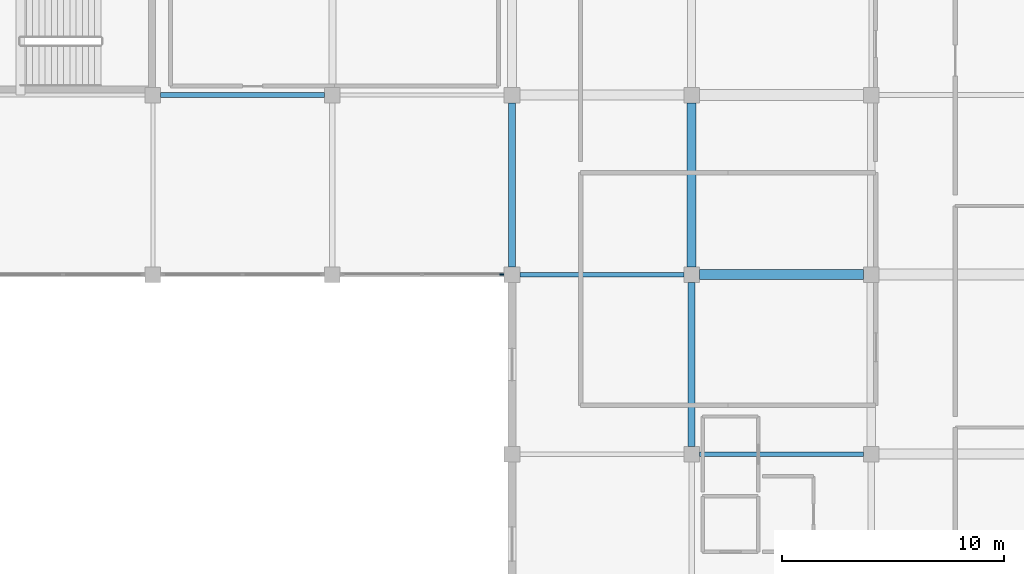
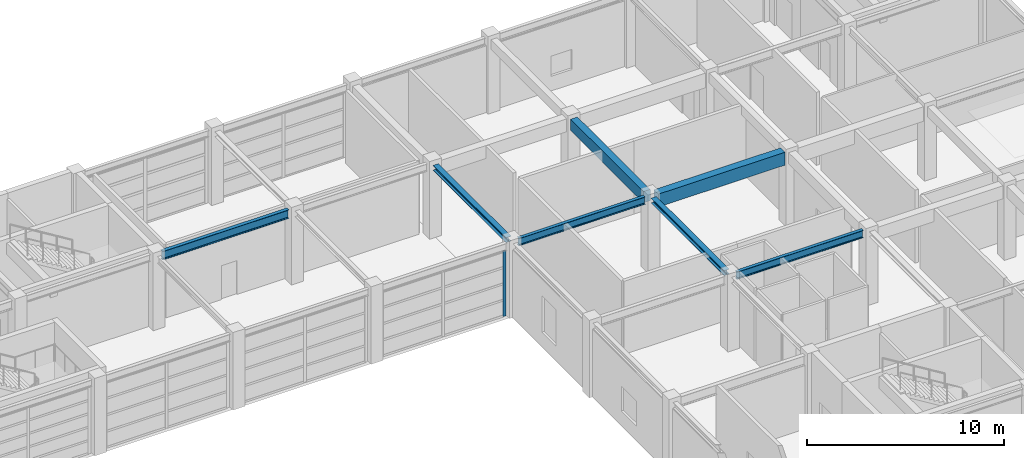
# One storey, part 33 of 58: 7 beams, 1 member, 1 element without a shape of its own.
"""IFC4 building model written with IfcOpenShell, lengths in metres."""

from ifc_helpers import new_model, si_unit, direction, frame, origin, origin_2d, place, context, subcontext, project, spatial, rectangle, i_section, extrude, material, material_profile, profile_set, type_object, element, aggregate, save


model = new_model("IFC4")

# Units and contexts
model_context = context("Model", 3, precision=1e-05, world=origin(), true_north=direction((0.0, 1.0)))
body_context = subcontext(model_context, "Body", "Model", "MODEL_VIEW")
ifc_project = project(units=[si_unit("LENGTHUNIT", "METRE"), si_unit("AREAUNIT", "SQUARE_METRE"), si_unit("VOLUMEUNIT", "CUBIC_METRE"), si_unit("PLANEANGLEUNIT", "RADIAN"), si_unit("MASSUNIT", "GRAM", prefix="KILO")], contexts=[model_context])

# Site, building, storey
site_placement = place(None, origin())
site = spatial("IfcSite", under=ifc_project, at=site_placement, CompositionType="ELEMENT")
building_placement = place(site_placement, origin())
building = spatial("IfcBuilding", under=site, at=building_placement, Name="Parian Resonance Hall", CompositionType="ELEMENT")
storey_placement = place(building_placement, frame((0.0, 0.0, 10.199951171875)))
storey = spatial("IfcBuildingStorey", under=building, at=storey_placement, Name="L02", CompositionType="ELEMENT", Elevation=10.199951171875)

# Beams
ifc_material_1 = material(Name="Concrete C40/50", Category="concrete")
ifc_material_profile_1 = material_profile(ifc_material_1, rectangle(XDim=0.39990234375, YDim=0.699951171875, at=origin_2d()), Name="RC-BM-400x700")
ifc_profile_set_1 = profile_set([ifc_material_profile_1], Name="Concrete C40/50")
beam_type_1 = type_object("IfcBeamType", Name="BM-RC400x700", PredefinedType="BEAM", material=ifc_profile_set_1)
beam_1_placement = place(storey_placement, frame((121.5, 73.25, 4.199951171875), z_axis=(0.0, 1.0, 0.0), x_axis=(-1.0, 0.0, 0.0)))
element("IfcBeam", 1, at=beam_1_placement, inside=storey, type_object=beam_type_1, Name="GY-L02-0795", PredefinedType="BEAM", context=body_context, shape_type="SweptSolid", body=[
    extrude(rectangle(XDim=0.39990234375, YDim=0.699951171875, at=origin_2d()), origin(), (0.0, 0.0, 1.0), 7.39990234375),
])
ifc_material_2 = material(Name="Concrete C40/50", Category="concrete")
ifc_material_profile_2 = material_profile(ifc_material_2, rectangle(XDim=0.449951171875, YDim=0.800048828125, at=origin_2d()), Name="RC-BM-450x800")
ifc_profile_set_2 = profile_set([ifc_material_profile_2], Name="Concrete C40/50")
beam_type_2 = type_object("IfcBeamType", Name="BM-RC450x800", PredefinedType="USERDEFINED", material=ifc_profile_set_2)
beam_2_placement = place(storey_placement, frame((121.85009765625, 72.89990234375, 4.150146484375), z_axis=(1.0, 0.0, 0.0), x_axis=(0.0, 1.0, 0.0)))
element("IfcBeam", 2, at=beam_2_placement, inside=storey, type_object=beam_type_2, Name="GX-L02-0725", ObjectType="GIRDER", PredefinedType="USERDEFINED", context=body_context, shape_type="SweptSolid", body=[
    extrude(rectangle(XDim=0.449951171875, YDim=0.800048828125, at=origin_2d()), origin(), (0.0, 0.0, 1.0), 7.39990234375),
])
ifc_material_3 = material(Name="Steel S355", Category="steel")
ifc_material_profile_3 = material_profile(ifc_material_3, i_section(OverallWidth=0.304931640625, OverallDepth=0.30810546875, WebThickness=0.010009765625, FlangeThickness=0.015380859375, FilletRadius=0.01513671875, at=origin_2d()), Name="W310x97")
ifc_profile_set_3 = profile_set([ifc_material_profile_3], Name="Steel S355")
beam_type_3 = type_object("IfcBeamType", Name="BM-W310x97", PredefinedType="BEAM", material=ifc_profile_set_3)
beam_3_placement = place(storey_placement, frame((113.39990234375, 73.25, 4.35595703125), z_axis=(0.0, 1.0, 0.0), x_axis=(-1.0, 0.0, 0.0)))
element("IfcBeam", 3, at=beam_3_placement, inside=storey, type_object=beam_type_3, Name="GY-L02-0786", PredefinedType="BEAM", context=body_context, shape_type="SweptSolid", body=[
    extrude(i_section(OverallWidth=0.304931640625, OverallDepth=0.30810546875, WebThickness=0.010009765625, FlangeThickness=0.015380859375, FilletRadius=0.01513671875, at=origin_2d()), origin(), (0.0, 0.0, 1.0), 7.39990234375),
])
beam_4_placement = place(storey_placement, frame((121.5, 65.14990234375, 4.39599609375), z_axis=(0.0, 1.0, 0.0), x_axis=(-1.0, 0.0, 0.0)))
element("IfcBeam", 4, at=beam_4_placement, inside=storey, type_object=beam_type_3, Name="GY-L02-0794", PredefinedType="BEAM", context=body_context, shape_type="SweptSolid", body=[
    extrude(i_section(OverallWidth=0.304931640625, OverallDepth=0.30810546875, WebThickness=0.010009765625, FlangeThickness=0.015380859375, FilletRadius=0.01513671875, at=origin_2d()), origin(), (0.0, 0.0, 1.0), 7.400146484375),
])
ifc_material_4 = material(Name="Steel S355", Category="steel")
ifc_material_profile_4 = material_profile(ifc_material_4, i_section(OverallWidth=0.19091796875, OverallDepth=0.4599609375, WebThickness=0.010009765625, FlangeThickness=0.01611328125, FilletRadius=0.01513671875, at=origin_2d()), Name="W460x82")
ifc_profile_set_4 = profile_set([ifc_material_profile_4], Name="Steel S355")
beam_type_4 = type_object("IfcBeamType", Name="BM-W460x82", PredefinedType="BEAM", material=ifc_profile_set_4)
for number, where, z_axis, x_axis, name in (
    (5, (113.75, 72.89990234375, 4.320068359375), (1.0, 0.0, 0.0), (0.0, 1.0, 0.0), "GX-L02-0719"),
    (6, (121.85009765625, 64.800048828125, 4.320068359375), (1.0, 0.0, 0.0), (0.0, 1.0, 0.0), "GX-L02-0724"),
):
    element("IfcBeam", number, at=place(storey_placement, frame(where, z_axis=z_axis, x_axis=x_axis)), inside=storey, type_object=beam_type_4, Name=name, PredefinedType="BEAM", context=body_context, shape_type="SweptSolid", body=[
        extrude(i_section(OverallWidth=0.19091796875, OverallDepth=0.4599609375, WebThickness=0.010009765625, FlangeThickness=0.01611328125, FilletRadius=0.01513671875, at=origin_2d()), origin(), (0.0, 0.0, 1.0), 7.39990234375),
    ])
ifc_material_5 = material(Name="Steel S355", Category="steel")
ifc_material_profile_5 = material_profile(ifc_material_5, i_section(OverallWidth=0.208984375, OverallDepth=0.532958984375, WebThickness=0.01025390625, FlangeThickness=0.015625, FilletRadius=0.017822265625, at=origin_2d()), Name="W530x92")
ifc_profile_set_5 = profile_set([ifc_material_profile_5], Name="Steel S355")
beam_type_5 = type_object("IfcBeamType", Name="BM-W530x92", PredefinedType="BEAM", material=ifc_profile_set_5)
beam_5_placement = place(storey_placement, frame((97.550048828125, 81.0, 4.24365234375), z_axis=(1.0, 0.0, 0.0), x_axis=(0.0, 1.0, 0.0)))
element("IfcBeam", 7, at=beam_5_placement, inside=storey, type_object=beam_type_5, Name="GX-L02-0703", PredefinedType="BEAM", context=body_context, shape_type="SweptSolid", body=[
    extrude(i_section(OverallWidth=0.208984375, OverallDepth=0.532958984375, WebThickness=0.01025390625, FlangeThickness=0.015625, FilletRadius=0.017822265625, at=origin_2d()), origin(), (0.0, 0.0, 1.0), 7.39990234375),
])

# Curtain wall, member
ifc_material_6 = material(Name="Bronze-anodised aluminium frame", Category="aluminium")
curtain_wall_type = type_object("IfcCurtainWallType", Name="CW-SYS-04", PredefinedType="NOTDEFINED", material=ifc_material_6)
curtain_wall_placement = place(storey_placement, origin())
curtain_wall = element("IfcCurtainWall", 8, at=curtain_wall_placement, inside=storey, type_object=curtain_wall_type, Name="Curtain wall CW-L02-129", PredefinedType="NOTDEFINED")
ifc_material_7 = material(Name="Bronze-anodised aluminium frame", Category="aluminium")
ifc_material_profile_6 = material_profile(ifc_material_7, rectangle(XDim=0.06494140625, YDim=0.159912109375, at=origin_2d()), Name="CWM-65x160")
ifc_profile_set_6 = profile_set([ifc_material_profile_6], Name="Bronze-anodised aluminium frame")
member_type = type_object("IfcMemberType", Name="CWM-65x160", PredefinedType="MULLION", material=ifc_profile_set_6)
member_placement = place(storey_placement, frame((112.9375, 72.89990234375, -0.008056640625), z_axis=(0.0, 0.0, 1.0), x_axis=(0.0, -1.0, 0.0)))
member = element("IfcMember", 9, at=member_placement, type_object=member_type, Name="CW-04 mullion 1", PredefinedType="MULLION", context=body_context, shape_type="SweptSolid", body=[
    extrude(rectangle(XDim=0.06494140625, YDim=0.159912109375, at=origin_2d()), origin(), (0.0, 0.0, 1.0), 4.05322265625),
])
aggregate(curtain_wall, [member])

save(model, "model.ifc")
